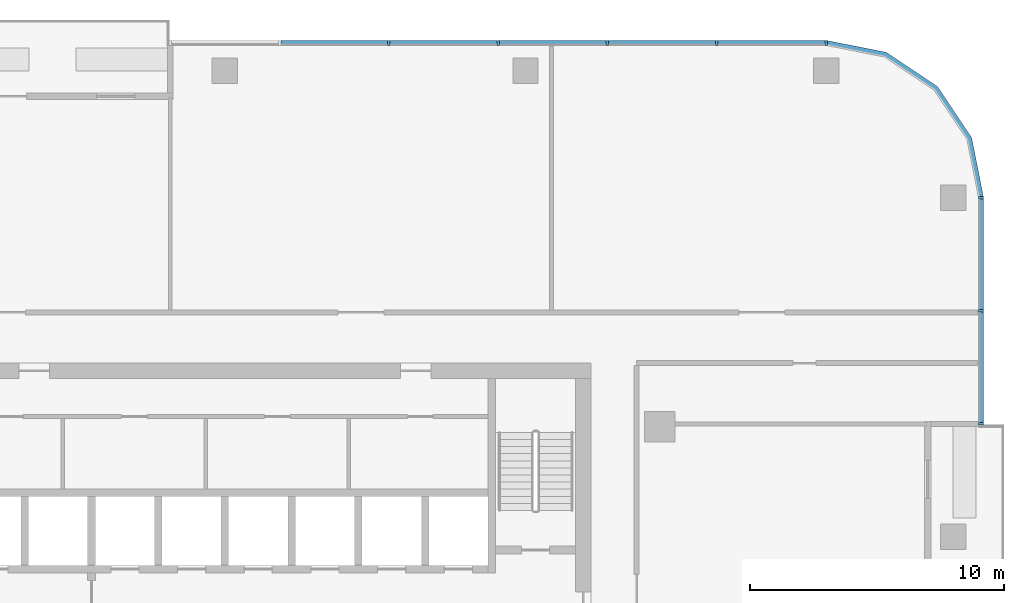
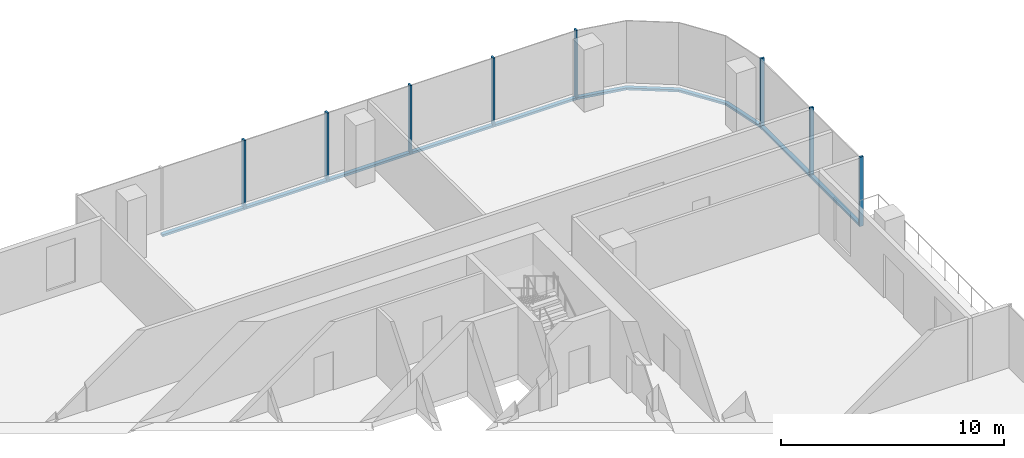
# One storey, part 5 of 13: 16 members, 3 elements without a shape of their own.
"""IFC4 building model written with IfcOpenShell, lengths in metres."""

from ifc_helpers import new_model, si_unit, direction, frame, origin, origin_2d, place, context, subcontext, project, spatial, polyline, rectangle, outline, extrude, material, material_profile, profile_set, type_object, element, aggregate, save


model = new_model("IFC4")

# Units and contexts
model_context = context("Model", 3, precision=1e-05, world=origin(), true_north=direction((0.0, 1.0)))
body_context = subcontext(model_context, "Body", "Model", "MODEL_VIEW")
ifc_project = project(units=[si_unit("LENGTHUNIT", "METRE"), si_unit("AREAUNIT", "SQUARE_METRE"), si_unit("VOLUMEUNIT", "CUBIC_METRE"), si_unit("PLANEANGLEUNIT", "RADIAN"), si_unit("MASSUNIT", "GRAM", prefix="KILO")], contexts=[model_context])

# Site, building, storey
site_placement = place(None, origin())
site = spatial("IfcSite", under=ifc_project, at=site_placement, CompositionType="ELEMENT")
building_placement = place(site_placement, origin())
building = spatial("IfcBuilding", under=site, at=building_placement, Name="Mopane Tessera Tower", CompositionType="ELEMENT")
storey_placement = place(building_placement, frame((0.0, 0.0, 311.39990234375)))
storey = spatial("IfcBuildingStorey", under=building, at=storey_placement, Name="L68", CompositionType="ELEMENT", Elevation=311.39990234375)

# Curtain wall, members
ifc_material_1 = material(Name="Aluminium frame", Category="aluminium")
curtain_wall_type = type_object("IfcCurtainWallType", Name="Unitised curtain wall", PredefinedType="NOTDEFINED", material=ifc_material_1)
curtain_wall_1_placement = place(storey_placement, origin())
curtain_wall_1 = element("IfcCurtainWall", 1, at=curtain_wall_1_placement, inside=storey, type_object=curtain_wall_type, Name="e:cw:L68:E:7", PredefinedType="NOTDEFINED")
ifc_material_2 = material(Name="Aluminium frame", Category="aluminium")
ifc_material_profile_1 = material_profile(ifc_material_2, rectangle(XDim=0.10009765625, YDim=0.199951171875, at=origin_2d()))
ifc_profile_set_1 = profile_set([ifc_material_profile_1], Name="Aluminium frame")
member_type_1 = type_object("IfcMemberType", Name="Aluminium mullion 100 x 200", PredefinedType="MULLION", material=ifc_profile_set_1)
member_1_placement = place(storey_placement, frame((29.75, 11.111083984375, -0.39990234375), z_axis=(0.0, 0.0, 1.0), x_axis=(0.0, 1.0, 0.0)))
member_1 = element("IfcMember", 2, at=member_1_placement, type_object=member_type_1, Name="e:cw:L68:E:7:mu7", PredefinedType="MULLION", context=body_context, shape_type="SweptSolid", body=[
    extrude(rectangle(XDim=0.10009765625, YDim=0.199951171875, at=origin_2d()), origin(), (0.0, 0.0, 1.0), 3.800048828125),
])
member_2_placement = place(storey_placement, frame((29.75, 15.5556640625, -0.39990234375), z_axis=(0.0, 0.0, 1.0), x_axis=(0.0, 1.0, 0.0)))
member_2 = element("IfcMember", 3, at=member_2_placement, type_object=member_type_1, Name="e:cw:L68:E:7:mu8", PredefinedType="MULLION", context=body_context, shape_type="SweptSolid", body=[
    extrude(rectangle(XDim=0.10009765625, YDim=0.199951171875, at=origin_2d()), origin(), (0.0, 0.0, 1.0), 3.800048828125),
])
member_3_placement = place(storey_placement, frame((29.75, 20.0, -0.39990234375), z_axis=(0.0, 0.0, 1.0), x_axis=(0.0, 1.0, 0.0)))
member_3 = element("IfcMember", 4, at=member_3_placement, type_object=member_type_1, Name="e:cw:L68:E:7:mu9", PredefinedType="MULLION", context=body_context, shape_type="SweptSolid", body=[
    extrude(rectangle(XDim=0.10009765625, YDim=0.199951171875, at=origin_2d()), origin(), (0.0, 0.0, 1.0), 3.800048828125),
])

curtain_wall_2_placement = place(storey_placement, origin())
curtain_wall_2 = element("IfcCurtainWall", 5, at=curtain_wall_2_placement, inside=storey, type_object=curtain_wall_type, Name="e:cw:L68:N:0", PredefinedType="NOTDEFINED")
member_4_placement = place(storey_placement, frame((23.64990234375, 26.10009765625, -0.39990234375), z_axis=(0.0, 0.0, 1.0), x_axis=(-1.0, 0.0, 0.0)))
member_4 = element("IfcMember", 6, at=member_4_placement, type_object=member_type_1, Name="e:cw:L68:N:0:mu0", PredefinedType="MULLION", context=body_context, shape_type="SweptSolid", body=[
    extrude(rectangle(XDim=0.10009765625, YDim=0.199951171875, at=origin_2d()), origin(), (0.0, 0.0, 1.0), 3.800048828125),
])
member_5_placement = place(storey_placement, frame((19.35009765625, 26.10009765625, -0.39990234375), z_axis=(0.0, 0.0, 1.0), x_axis=(-1.0, 0.0, 0.0)))
member_5 = element("IfcMember", 7, at=member_5_placement, type_object=member_type_1, Name="e:cw:L68:N:0:mu1", PredefinedType="MULLION", context=body_context, shape_type="SweptSolid", body=[
    extrude(rectangle(XDim=0.10009765625, YDim=0.199951171875, at=origin_2d()), origin(), (0.0, 0.0, 1.0), 3.800048828125),
])
member_6_placement = place(storey_placement, frame((15.050048828125, 26.10009765625, -0.39990234375), z_axis=(0.0, 0.0, 1.0), x_axis=(-1.0, 0.0, 0.0)))
member_6 = element("IfcMember", 8, at=member_6_placement, type_object=member_type_1, Name="e:cw:L68:N:0:mu2", PredefinedType="MULLION", context=body_context, shape_type="SweptSolid", body=[
    extrude(rectangle(XDim=0.10009765625, YDim=0.199951171875, at=origin_2d()), origin(), (0.0, 0.0, 1.0), 3.800048828125),
])
member_7_placement = place(storey_placement, frame((10.75, 26.10009765625, -0.39990234375), z_axis=(0.0, 0.0, 1.0), x_axis=(-1.0, 0.0, 0.0)))
member_7 = element("IfcMember", 9, at=member_7_placement, type_object=member_type_1, Name="e:cw:L68:N:0:mu3", PredefinedType="MULLION", context=body_context, shape_type="SweptSolid", body=[
    extrude(rectangle(XDim=0.10009765625, YDim=0.199951171875, at=origin_2d()), origin(), (0.0, 0.0, 1.0), 3.800048828125),
])
member_8_placement = place(storey_placement, frame((6.449951171875, 26.10009765625, -0.39990234375), z_axis=(0.0, 0.0, 1.0), x_axis=(-1.0, 0.0, 0.0)))
member_8 = element("IfcMember", 10, at=member_8_placement, type_object=member_type_1, Name="e:cw:L68:N:0:mu4", PredefinedType="MULLION", context=body_context, shape_type="SweptSolid", body=[
    extrude(rectangle(XDim=0.10009765625, YDim=0.199951171875, at=origin_2d()), origin(), (0.0, 0.0, 1.0), 3.800048828125),
])

# Member
ifc_material_3 = material(Name="Aluminium frame", Category="aluminium")
ifc_material_profile_2 = material_profile(ifc_material_3, rectangle(XDim=0.199951171875, YDim=0.1201171875, at=origin_2d()))
ifc_profile_set_2 = profile_set([ifc_material_profile_2], Name="Aluminium frame")
member_type_2 = type_object("IfcMemberType", Name="Aluminium transom 200 x 120", PredefinedType="USERDEFINED", material=ifc_profile_set_2)
member_9_placement = place(storey_placement, frame((29.75, 11.1611328125, -0.33984375), z_axis=(0.0, 1.0, 0.0), x_axis=(-1.0, 0.0, 0.0)))
member_9 = element("IfcMember", 11, at=member_9_placement, type_object=member_type_2, Name="e:cw:L68:E:7:tr7", ObjectType="TRANSOM", PredefinedType="USERDEFINED", context=body_context, shape_type="SweptSolid", body=[
    extrude(rectangle(XDim=0.199951171875, YDim=0.1201171875, at=origin_2d()), origin(), (0.0, 0.0, 1.0), 4.344482421875),
])

member_10_placement = place(storey_placement, frame((29.75, 15.60546875, -0.33984375), z_axis=(0.0, 1.0, 0.0), x_axis=(-1.0, 0.0, 0.0)))
member_10 = element("IfcMember", 12, at=member_10_placement, type_object=member_type_2, Name="e:cw:L68:E:7:tr8", ObjectType="TRANSOM", PredefinedType="USERDEFINED", context=body_context, shape_type="SweptSolid", body=[
    extrude(rectangle(XDim=0.199951171875, YDim=0.1201171875, at=origin_2d()), origin(), (0.0, 0.0, 1.0), 4.344482421875),
])

aggregate(curtain_wall_1, [member_1, member_2, member_3, member_9, member_10])

# Curtain wall, member
curtain_wall_3_placement = place(storey_placement, origin())
curtain_wall_3 = element("IfcCurtainWall", 13, at=curtain_wall_3_placement, inside=storey, type_object=curtain_wall_type, Name="e:cw:L68:CE", PredefinedType="NOTDEFINED")
member_11_placement = place(storey_placement, frame((0.0, 0.0, -0.39990234375)))
member_11 = element("IfcMember", 14, at=member_11_placement, type_object=member_type_2, Name="e:cw:L68:CE:tr", ObjectType="TRANSOM", PredefinedType="USERDEFINED", context=body_context, shape_type="SweptSolid", body=[
    extrude(outline(polyline([(29.64990234375, 20.0), (29.193359375, 22.296142578125), (27.892578125, 24.24267578125), (25.946044921875, 25.543212890625), (23.64990234375, 26.0), (23.64990234375, 26.199951171875), (26.022705078125, 25.72802734375), (28.0341796875, 24.384033203125), (29.378173828125, 22.37255859375), (29.85009765625, 20.0), (29.64990234375, 20.0)])), origin(), (0.0, 0.0, 1.0), 0.1201171875),
])
aggregate(curtain_wall_3, [member_11])

# Member
member_12_placement = place(storey_placement, frame((23.60009765625, 26.10009765625, -0.33984375), z_axis=(-1.0, 0.0, 0.0), x_axis=(0.0, -1.0, 0.0)))
member_12 = element("IfcMember", 15, at=member_12_placement, type_object=member_type_2, Name="e:cw:L68:N:0:tr0", ObjectType="TRANSOM", PredefinedType="USERDEFINED", context=body_context, shape_type="SweptSolid", body=[
    extrude(rectangle(XDim=0.199951171875, YDim=0.1201171875, at=origin_2d()), origin(), (0.0, 0.0, 1.0), 4.2001953125),
])

member_13_placement = place(storey_placement, frame((19.300048828125, 26.10009765625, -0.33984375), z_axis=(-1.0, 0.0, 0.0), x_axis=(0.0, -1.0, 0.0)))
member_13 = element("IfcMember", 16, at=member_13_placement, type_object=member_type_2, Name="e:cw:L68:N:0:tr1", ObjectType="TRANSOM", PredefinedType="USERDEFINED", context=body_context, shape_type="SweptSolid", body=[
    extrude(rectangle(XDim=0.199951171875, YDim=0.1201171875, at=origin_2d()), origin(), (0.0, 0.0, 1.0), 4.199951171875),
])

member_14_placement = place(storey_placement, frame((15.0, 26.10009765625, -0.33984375), z_axis=(-1.0, 0.0, 0.0), x_axis=(0.0, -1.0, 0.0)))
member_14 = element("IfcMember", 17, at=member_14_placement, type_object=member_type_2, Name="e:cw:L68:N:0:tr2", ObjectType="TRANSOM", PredefinedType="USERDEFINED", context=body_context, shape_type="SweptSolid", body=[
    extrude(rectangle(XDim=0.199951171875, YDim=0.1201171875, at=origin_2d()), origin(), (0.0, 0.0, 1.0), 4.199951171875),
])

member_15_placement = place(storey_placement, frame((10.699951171875, 26.10009765625, -0.33984375), z_axis=(-1.0, 0.0, 0.0), x_axis=(0.0, -1.0, 0.0)))
member_15 = element("IfcMember", 18, at=member_15_placement, type_object=member_type_2, Name="e:cw:L68:N:0:tr3", ObjectType="TRANSOM", PredefinedType="USERDEFINED", context=body_context, shape_type="SweptSolid", body=[
    extrude(rectangle(XDim=0.199951171875, YDim=0.1201171875, at=origin_2d()), origin(), (0.0, 0.0, 1.0), 4.199951171875),
])

member_16_placement = place(storey_placement, frame((6.39990234375, 26.10009765625, -0.33984375), z_axis=(-1.0, 0.0, 0.0), x_axis=(0.0, -1.0, 0.0)))
member_16 = element("IfcMember", 19, at=member_16_placement, type_object=member_type_2, Name="e:cw:L68:N:0:tr4", ObjectType="TRANSOM", PredefinedType="USERDEFINED", context=body_context, shape_type="SweptSolid", body=[
    extrude(rectangle(XDim=0.199951171875, YDim=0.1201171875, at=origin_2d()), origin(), (0.0, 0.0, 1.0), 4.199951171875),
])

aggregate(curtain_wall_2, [member_4, member_5, member_6, member_7, member_8, member_12, member_13, member_14, member_15, member_16])

save(model, "model.ifc")
